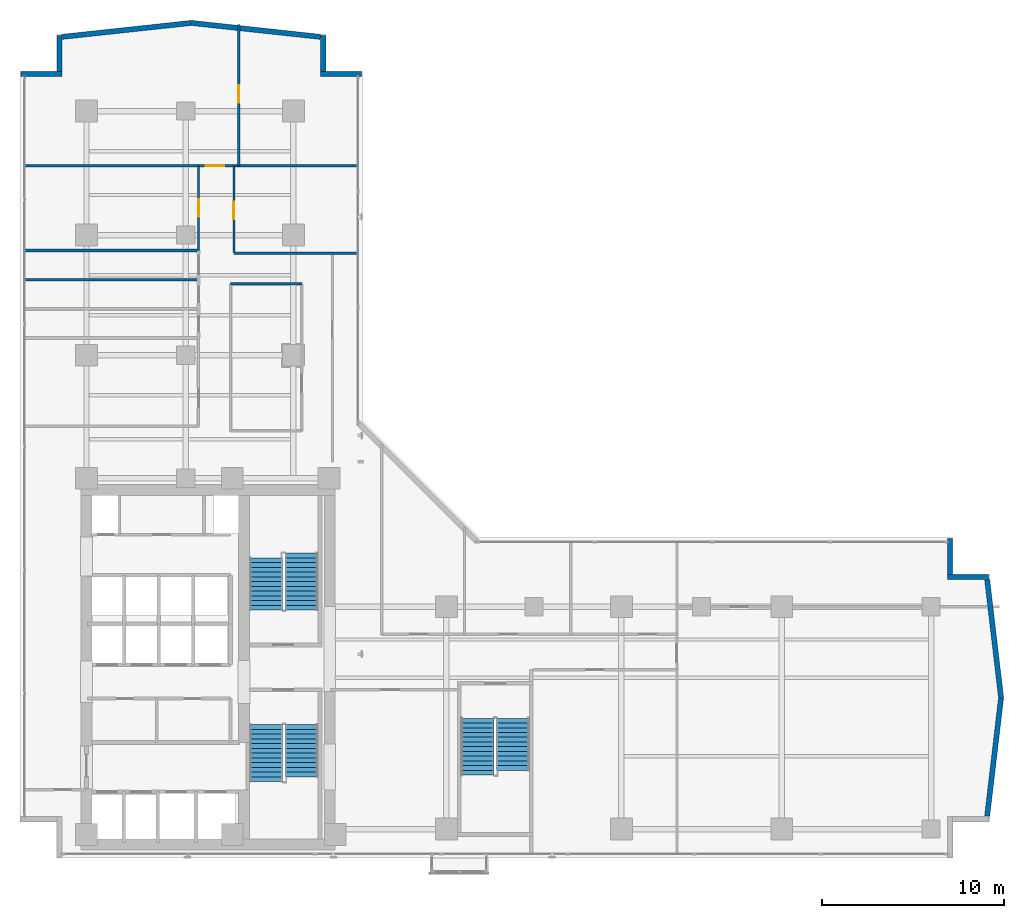
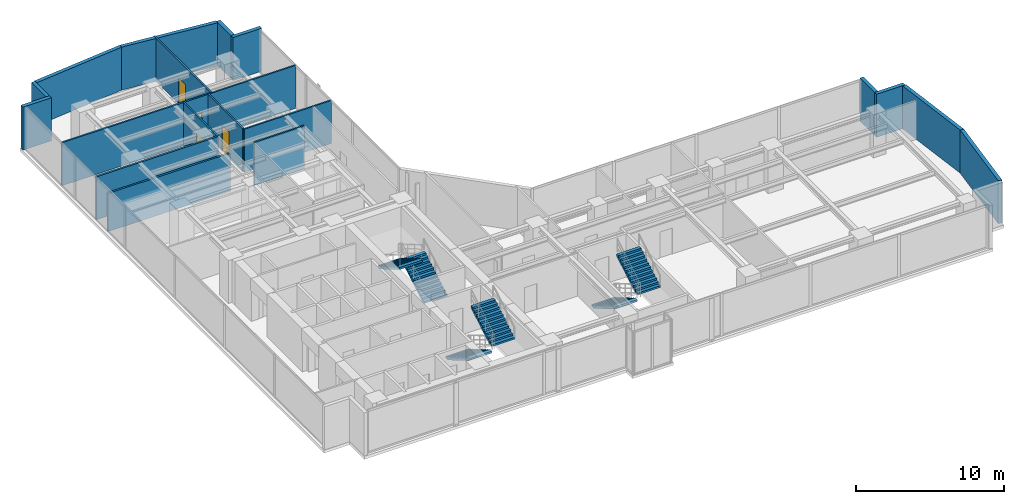
# One storey, part 21 of 24: 18 walls, 6 stair flights, 4 doors, 4 openings, 3 elements without a shape of their own.
"""IFC4 building model written with IfcOpenShell, lengths in metres."""

from ifc_helpers import new_model, si_unit, direction, frame, frame_2d, origin, place, context, subcontext, project, spatial, polyline, rectangle, outline, extrude, material, layer, layer_set, type_object, element, fill, aggregate, save


model = new_model("IFC4")

# Units and contexts
model_context = context("Model", 3, precision=1e-05, world=origin(), true_north=direction((0.0, 1.0)))
body_context = subcontext(model_context, "Body", "Model", "MODEL_VIEW")
ifc_project = project(units=[si_unit("LENGTHUNIT", "METRE"), si_unit("AREAUNIT", "SQUARE_METRE"), si_unit("VOLUMEUNIT", "CUBIC_METRE"), si_unit("PLANEANGLEUNIT", "RADIAN"), si_unit("MASSUNIT", "GRAM", prefix="KILO")], contexts=[model_context])

# Site, building, storey
site_placement = place(None, origin())
site = spatial("IfcSite", under=ifc_project, at=site_placement, CompositionType="ELEMENT")
building_placement = place(site_placement, origin())
building = spatial("IfcBuilding", under=site, at=building_placement, Name="Kolvaren Waterfront Exchange", CompositionType="ELEMENT")
storey_placement = place(building_placement, frame((0.0, 0.0, 153.800048828125)))
storey = spatial("IfcBuildingStorey", under=building, at=storey_placement, Name="L39", CompositionType="ELEMENT", Elevation=153.800048828125)

# Walls
ifc_material_1 = material(Name="Precast concrete C40/50", Category="concrete")
ifc_layer_1 = layer(ifc_material_1, 0.280029296875, Name="Precast concrete C40/50")
ifc_layer_set_1 = layer_set([ifc_layer_1], Name="Precast concrete C40/50")
wall_type_1 = type_object("IfcWallType", Name="ARC-EXT-TERR-280", PredefinedType="SOLIDWALL", material=ifc_layer_set_1)
wall_1_placement = place(storey_placement, frame((54.840087890625, 19.1650390625, 0.0), z_axis=(0.0, 0.0, 1.0), x_axis=(0.0, 1.0, 0.0)))
element("IfcWall", 1, at=wall_1_placement, inside=storey, type_object=wall_type_1, Name="L39 notched corner spandrel pier ENE-A", PredefinedType="SOLIDWALL", context=body_context, shape_type="SweptSolid", body=[
    extrude(rectangle(XDim=1.974853515625, YDim=0.280029296875, at=frame_2d((0.9873046875, 0.0))), origin(), (0.0, 0.0, 1.0), 3.56005859375),
])
for number, where, z_axis, x_axis, name in (
    (2, (54.699951171875, 19.0400390625, 0.0), (0.0, 0.0, 1.0), (1.0, 0.0, 0.0), "L39 notched corner spandrel pier ENE-B"),
    (3, (20.300048828125, 46.639892578125, 0.0), (0.0, 0.0, 1.0), (1.0, 0.0, 0.0), "L39 notched corner spandrel pier NNE-A"),
):
    element("IfcWall", number, at=place(storey_placement, frame(where, z_axis=z_axis, x_axis=x_axis)), inside=storey, type_object=wall_type_1, Name=name, PredefinedType="SOLIDWALL", context=body_context, shape_type="SweptSolid", body=[
        extrude(rectangle(XDim=2.239990234375, YDim=0.280029296875, at=frame_2d((1.1201171875, 0.0))), origin(), (0.0, 0.0, 1.0), 3.56005859375),
    ])
wall_2_placement = place(storey_placement, frame((20.43994140625, 46.780029296875, 0.0), z_axis=(0.0, 0.0, 1.0), x_axis=(0.0, 1.0, 0.0)))
element("IfcWall", 4, at=wall_2_placement, inside=storey, type_object=wall_type_1, Name="L39 notched corner spandrel pier NNE-B", PredefinedType="SOLIDWALL", context=body_context, shape_type="SweptSolid", body=[
    extrude(rectangle(XDim=1.9599609375, YDim=0.280029296875, at=frame_2d((0.97998046875, 0.0))), origin(), (0.0, 0.0, 1.0), 3.56005859375),
])
wall_3_placement = place(storey_placement, frame((3.860107421875, 46.639892578125, 0.0), z_axis=(0.0, 0.0, 1.0), x_axis=(1.0, 0.0, 0.0)))
element("IfcWall", 5, at=wall_3_placement, inside=storey, type_object=wall_type_1, Name="L39 notched corner spandrel pier NW-A", PredefinedType="SOLIDWALL", context=body_context, shape_type="SweptSolid", body=[
    extrude(rectangle(XDim=2.239990234375, YDim=0.280029296875, at=frame_2d((1.1201171875, 0.0))), origin(), (0.0, 0.0, 1.0), 3.56005859375),
])
wall_4_placement = place(storey_placement, frame((5.9599609375, 46.780029296875, 0.0), z_axis=(0.0, 0.0, 1.0), x_axis=(0.0, 1.0, 0.0)))
element("IfcWall", 6, at=wall_4_placement, inside=storey, type_object=wall_type_1, Name="L39 notched corner spandrel pier NW-B", PredefinedType="SOLIDWALL", context=body_context, shape_type="SweptSolid", body=[
    extrude(rectangle(XDim=1.9599609375, YDim=0.280029296875, at=frame_2d((0.97998046875, 0.0))), origin(), (0.0, 0.0, 1.0), 3.56005859375),
])
for number, where, z_axis, x_axis, name in (
    (7, (56.876220703125, 5.91650390625, 0.0), (0.0, 0.0, 1.0), (0.11685426921, 0.993149072278, 0.0), "L39 east prow faceted facade wall 1"),
    (8, (57.638916015625, 12.401123046875, 0.0), (0.0, 0.0, 1.0), (-0.11685426921, 0.993149072278, 0.0), "L39 east prow faceted facade wall 2"),
):
    element("IfcWall", number, at=place(storey_placement, frame(where, z_axis=z_axis, x_axis=x_axis)), inside=storey, type_object=wall_type_1, Name=name, PredefinedType="SOLIDWALL", context=body_context, shape_type="SweptSolid", body=[
        extrude(rectangle(XDim=6.52685546875, YDim=0.280029296875, at=frame_2d((3.263427734375, 0.0))), origin(), (0.0, 0.0, 1.0), 3.56005859375),
    ])
for number, where, z_axis, x_axis, name in (
    (9, (20.284423828125, 48.673095703125, 0.0), (0.0, 0.0, 1.0), (-0.994206651606, 0.107485505548, 0.0), "L39 north prow faceted facade wall 1"),
    (10, (13.197265625, 49.438720703125, 0.0), (0.0, 0.0, 1.0), (-0.994206651606, -0.107485505548, 0.0), "L39 north prow faceted facade wall 2"),
):
    element("IfcWall", number, at=place(storey_placement, frame(where, z_axis=z_axis, x_axis=x_axis)), inside=storey, type_object=wall_type_1, Name=name, PredefinedType="SOLIDWALL", context=body_context, shape_type="SweptSolid", body=[
        extrude(rectangle(XDim=7.123046875, YDim=0.280029296875, at=frame_2d((3.5615234375, 0.0))), origin(), (0.0, 0.0, 1.0), 3.56005859375),
    ])
ifc_material_2 = material(Name="Acoustic gypsum steel stud", Category="steel")
ifc_layer_2 = layer(ifc_material_2, 0.125, Name="Acoustic gypsum steel stud")
ifc_layer_set_2 = layer_set([ifc_layer_2], Name="Acoustic gypsum steel stud")
wall_type_2 = type_object("IfcWallType", Name="ARC-PART-125", PredefinedType="PARTITIONING", material=ifc_layer_set_2)
wall_5_placement = place(storey_placement, frame((15.35009765625, 35.1201171875, 0.0), z_axis=(0.0, 0.0, 1.0), x_axis=(1.0, 0.0, 0.0)))
element("IfcWall", 11, at=wall_5_placement, inside=storey, type_object=wall_type_2, Name="L39 interior wall PW-L39-ISL-N", PredefinedType="PARTITIONING", context=body_context, shape_type="SweptSolid", body=[
    extrude(rectangle(XDim=3.919921875, YDim=0.125, at=frame_2d((1.9599609375, 0.0))), origin(), (0.0, 0.0, 1.0), 3.56005859375),
])
wall_6_placement = place(storey_placement, frame((15.5400390625, 36.800048828125, 0.0), z_axis=(0.0, 0.0, 1.0), x_axis=(1.0, 0.0, 0.0)))
element("IfcWall", 12, at=wall_6_placement, inside=storey, type_object=wall_type_2, Name="L39 interior wall PW-L39-RFLANK-N", PredefinedType="PARTITIONING", context=body_context, shape_type="SweptSolid", body=[
    extrude(rectangle(XDim=6.820068359375, YDim=0.125, at=frame_2d((3.41015625, 0.0))), origin(), (0.0, 0.0, 1.0), 3.56005859375),
])

# Wall, opening, door
wall_7_placement = place(storey_placement, frame((13.60009765625, 36.949951171875, 0.0), z_axis=(0.0, 0.0, 1.0), x_axis=(0.0, 1.0, 0.0)))
wall_7 = element("IfcWall", 13, at=wall_7_placement, inside=storey, type_object=wall_type_2, Name="L39 interior wall PW-L39-NW-CORR", PredefinedType="PARTITIONING", context=body_context, shape_type="SweptSolid", body=[
    extrude(rectangle(XDim=4.650146484375, YDim=0.125, at=frame_2d((2.3251953125, 0.0))), origin(), (0.0, 0.0, 1.0), 3.56005859375),
])
opening_1_placement = place(wall_7_placement, frame((1.85009765625, 0.0, 0.0)))
opening_1 = element("IfcOpeningElement", 14, at=opening_1_placement, cuts=wall_7, Name="Opening D02", PredefinedType="OPENING", context=body_context, shape_type="SweptSolid", body=[
    extrude(rectangle(XDim=0.949951171875, YDim=2.14990234375, at=frame_2d((0.47509765625, 1.074951171875))), frame((0.0, 0.072509765625, 0.0), z_axis=(0.0, -1.0, 0.0), x_axis=(1.0, 0.0, 0.0)), (0.0, 0.0, 1.0), 0.14501953125),
])
ifc_material_3 = material(Name="Oak veneer acoustic timber", Category="wood")
door_type_1 = type_object("IfcDoorType", Name="ARC-DR-950", OperationType="NOTDEFINED", PredefinedType="DOOR", material=ifc_material_3)
door_1_placement = place(opening_1_placement, origin())
door_1 = element("IfcDoor", 15, at=door_1_placement, inside=storey, type_object=door_type_1, Name="L39 door DR-L39-NW-D-1 (D02)", OperationType="SINGLE_SWING_LEFT", OverallHeight=2.14990234375, OverallWidth=0.949951171875, PredefinedType="DOOR", context=body_context, shape_type="SweptSolid", body=[
    extrude(rectangle(XDim=0.949951171875, YDim=2.14990234375, at=frame_2d((0.47509765625, 1.074951171875))), frame((0.0, 0.02490234375, 0.0), z_axis=(0.0, -1.0, 0.0), x_axis=(1.0, 0.0, 0.0)), (0.0, 0.0, 1.0), 0.050048828125),
])
fill(opening_1, door_1)

wall_8_placement = place(storey_placement, frame((4.0400390625, 41.60009765625, 0.0), z_axis=(0.0, 0.0, 1.0), x_axis=(1.0, 0.0, 0.0)))
wall_8 = element("IfcWall", 16, at=wall_8_placement, inside=storey, type_object=wall_type_2, Name="L39 interior wall PW-L39-NTIP-S", PredefinedType="PARTITIONING", context=body_context, shape_type="SweptSolid", body=[
    extrude(rectangle(XDim=18.320068359375, YDim=0.125, at=frame_2d((9.16015625, 0.0))), origin(), (0.0, 0.0, 1.0), 3.56005859375),
])
opening_2_placement = place(wall_8_placement, frame((9.9599609375, 0.0, 0.0)))
opening_2 = element("IfcOpeningElement", 17, at=opening_2_placement, cuts=wall_8, Name="Opening D03", PredefinedType="OPENING", context=body_context, shape_type="SweptSolid", body=[
    extrude(rectangle(XDim=1.0, YDim=2.199951171875, at=frame_2d((0.5, 1.10009765625))), frame((0.0, 0.072509765625, 0.0), z_axis=(0.0, -1.0, 0.0), x_axis=(1.0, 0.0, 0.0)), (0.0, 0.0, 1.0), 0.14501953125),
])
ifc_material_4 = material(Name="Oak veneer accessible timber", Category="wood")
door_type_2 = type_object("IfcDoorType", Name="ARC-DR-1000", OperationType="NOTDEFINED", PredefinedType="DOOR", material=ifc_material_4)
door_2_placement = place(opening_2_placement, origin())
door_2 = element("IfcDoor", 18, at=door_2_placement, inside=storey, type_object=door_type_2, Name="L39 door DR-L39-NTIPW-D (D03)", OperationType="SINGLE_SWING_RIGHT", OverallHeight=2.199951171875, OverallWidth=1.0, PredefinedType="DOOR", context=body_context, shape_type="SweptSolid", body=[
    extrude(rectangle(XDim=1.0, YDim=2.199951171875, at=frame_2d((0.5, 1.10009765625))), frame((0.0, 0.02490234375, 0.0), z_axis=(0.0, -1.0, 0.0), x_axis=(1.0, 0.0, 0.0)), (0.0, 0.0, 1.0), 0.050048828125),
])
fill(opening_2, door_2)

wall_9_placement = place(storey_placement, frame((15.800048828125, 41.60009765625, 0.0), z_axis=(0.0, 0.0, 1.0), x_axis=(0.0, 1.0, 0.0)))
wall_9 = element("IfcWall", 19, at=wall_9_placement, inside=storey, type_object=wall_type_2, Name="L39 interior wall PW-L39-NTIP-DIV", PredefinedType="PARTITIONING", context=body_context, shape_type="SweptSolid", body=[
    extrude(rectangle(XDim=7.760009765625, YDim=0.125, at=frame_2d((3.8798828125, 0.0))), origin(), (0.0, 0.0, 1.0), 3.56005859375),
])
opening_3_placement = place(wall_9_placement, frame((3.470458984375, 0.0, 0.0)))
opening_3 = element("IfcOpeningElement", 20, at=opening_3_placement, cuts=wall_9, Name="Opening D02", PredefinedType="OPENING", context=body_context, shape_type="SweptSolid", body=[
    extrude(rectangle(XDim=0.949951171875, YDim=2.14990234375, at=frame_2d((0.47509765625, 1.074951171875))), frame((0.0, 0.072509765625, 0.0), z_axis=(0.0, -1.0, 0.0), x_axis=(1.0, 0.0, 0.0)), (0.0, 0.0, 1.0), 0.14501953125),
])
door_3_placement = place(opening_3_placement, origin())
door_3 = element("IfcDoor", 21, at=door_3_placement, inside=storey, type_object=door_type_1, Name="L39 door DR-L39-NTIPE-D (D02)", OperationType="SINGLE_SWING_LEFT", OverallHeight=2.14990234375, OverallWidth=0.949951171875, PredefinedType="DOOR", context=body_context, shape_type="SweptSolid", body=[
    extrude(rectangle(XDim=0.949951171875, YDim=2.14990234375, at=frame_2d((0.47509765625, 1.074951171875))), frame((0.0, 0.02490234375, 0.0), z_axis=(0.0, -1.0, 0.0), x_axis=(1.0, 0.0, 0.0)), (0.0, 0.0, 1.0), 0.050048828125),
])
fill(opening_3, door_3)

wall_10_placement = place(storey_placement, frame((15.5400390625, 36.85009765625, 0.0), z_axis=(0.0, 0.0, 1.0), x_axis=(0.0, 1.0, 0.0)))
wall_10 = element("IfcWall", 22, at=wall_10_placement, inside=storey, type_object=wall_type_2, Name="L39 interior wall PW-L39-NE-CORR", PredefinedType="PARTITIONING", context=body_context, shape_type="SweptSolid", body=[
    extrude(rectangle(XDim=4.75, YDim=0.125, at=frame_2d((2.375, 0.0))), origin(), (0.0, 0.0, 1.0), 3.56005859375),
])
opening_4_placement = place(wall_10_placement, frame((1.82861328125, 0.0, 0.0)))
opening_4 = element("IfcOpeningElement", 23, at=opening_4_placement, cuts=wall_10, Name="Opening D02", PredefinedType="OPENING", context=body_context, shape_type="SweptSolid", body=[
    extrude(rectangle(XDim=0.949951171875, YDim=2.14990234375, at=frame_2d((0.47509765625, 1.074951171875))), frame((0.0, 0.072509765625, 0.0), z_axis=(0.0, -1.0, 0.0), x_axis=(1.0, 0.0, 0.0)), (0.0, 0.0, 1.0), 0.14501953125),
])
door_4_placement = place(opening_4_placement, origin())
door_4 = element("IfcDoor", 24, at=door_4_placement, inside=storey, type_object=door_type_1, Name="L39 door DR-L39-NE-D-1 (D02)", OperationType="SINGLE_SWING_RIGHT", OverallHeight=2.14990234375, OverallWidth=0.949951171875, PredefinedType="DOOR", context=body_context, shape_type="SweptSolid", body=[
    extrude(rectangle(XDim=0.949951171875, YDim=2.14990234375, at=frame_2d((0.47509765625, 1.074951171875))), frame((0.0, 0.02490234375, 0.0), z_axis=(0.0, -1.0, 0.0), x_axis=(1.0, 0.0, 0.0)), (0.0, 0.0, 1.0), 0.050048828125),
])
fill(opening_4, door_4)

# Walls
ifc_material_5 = material(Name="Moisture-resistant gypsum stud")
ifc_layer_3 = layer(ifc_material_5, 0.14990234375, Name="Moisture-resistant gypsum stud")
ifc_layer_set_3 = layer_set([ifc_layer_3], Name="Moisture-resistant gypsum stud")
wall_type_3 = type_object("IfcWallType", Name="ARC-PLUMB-150", PredefinedType="PLUMBINGWALL", material=ifc_layer_set_3)
wall_11_placement = place(storey_placement, frame((4.0400390625, 35.35009765625, 0.0), z_axis=(0.0, 0.0, 1.0), x_axis=(1.0, 0.0, 0.0)))
element("IfcWall", 25, at=wall_11_placement, inside=storey, type_object=wall_type_3, Name="L39 interior wall PW-L39-WC-2", PredefinedType="PLUMBINGWALL", context=body_context, shape_type="SweptSolid", body=[
    extrude(rectangle(XDim=9.56005859375, YDim=0.14990234375, at=frame_2d((4.780029296875, 0.0))), origin(), (0.0, 0.0, 1.0), 3.159912109375),
])
wall_12_placement = place(storey_placement, frame((4.0400390625, 36.949951171875, 0.0), z_axis=(0.0, 0.0, 1.0), x_axis=(1.0, 0.0, 0.0)))
element("IfcWall", 26, at=wall_12_placement, inside=storey, type_object=wall_type_3, Name="L39 interior wall PW-L39-WC-3", PredefinedType="PLUMBINGWALL", context=body_context, shape_type="SweptSolid", body=[
    extrude(rectangle(XDim=9.56005859375, YDim=0.14990234375, at=frame_2d((4.780029296875, 0.0))), origin(), (0.0, 0.0, 1.0), 3.56005859375),
])

# Stair, stair flights
ifc_material_6 = material(Name="Concrete C40/50", Category="concrete")
stair_type = type_object("IfcStairType", Name="ARC-STAIR-3800", PredefinedType="HALF_TURN_STAIR", material=ifc_material_6)
stair_1_placement = place(storey_placement, origin())
stair_1 = element("IfcStair", 27, at=stair_1_placement, inside=storey, type_object=stair_type, Name="L39 Smoke-proof exit stair ST1", PredefinedType="HALF_TURN_STAIR")
stair_flight_type = type_object("IfcStairFlightType", Name="ARC-FLIGHT-3800", PredefinedType="STRAIGHT", material=ifc_material_6)
stair_flight_1_placement = place(storey_placement, frame((17.300048828125, 10.929931640625, 0.0), z_axis=(0.0, 0.0, 1.0), x_axis=(0.0, -1.0, 0.0)))
stair_flight_1 = element("IfcStairFlight", 28, at=stair_flight_1_placement, type_object=stair_flight_type, Name="ST1 flight 1", NumberOfRisers=13, NumberOfTreads=12, PredefinedType="STRAIGHT", RiserHeight=0.152, TreadLength=0.26, context=body_context, shape_type="SweptSolid", body=[
    extrude(outline(polyline([(0.0, 0.0), (0.0, 0.152099609375), (0.260009765625, 0.152099609375), (0.260009765625, 0.303955078125), (0.52001953125, 0.303955078125), (0.52001953125, 0.4560546875), (0.780029296875, 0.4560546875), (0.780029296875, 0.60791015625), (1.0400390625, 0.60791015625), (1.0400390625, 0.760009765625), (1.300048828125, 0.760009765625), (1.300048828125, 0.912109375), (1.56005859375, 0.912109375), (1.56005859375, 1.06396484375), (1.820068359375, 1.06396484375), (1.820068359375, 1.216064453125), (2.080078125, 1.216064453125), (2.080078125, 1.367919921875), (2.340087890625, 1.367919921875), (2.340087890625, 1.52001953125), (2.60009765625, 1.52001953125), (2.60009765625, 1.672119140625), (2.860107421875, 1.672119140625), (2.860107421875, 1.823974609375), (3.1201171875, 1.823974609375), (3.1201171875, 1.97607421875), (3.1201171875, 1.650390625), (0.297119140625, 0.0), (0.0, 0.0)])), frame((0.0, 0.89990234375, 0.0), z_axis=(0.0, -1.0, 0.0), x_axis=(1.0, 0.0, 0.0)), (0.0, 0.0, 1.0), 1.800048828125),
])
stair_flight_2_placement = place(storey_placement, frame((19.260009765625, 8.070068359375, 1.975830078125), z_axis=(0.0, 0.0, 1.0), x_axis=(0.0, 1.0, 0.0)))
stair_flight_2 = element("IfcStairFlight", 29, at=stair_flight_2_placement, type_object=stair_flight_type, Name="ST1 flight 2", NumberOfRisers=12, NumberOfTreads=11, PredefinedType="STRAIGHT", RiserHeight=0.152, TreadLength=0.26, context=body_context, shape_type="SweptSolid", body=[
    extrude(outline(polyline([(0.0, 0.0), (0.0, 0.152099609375), (0.260009765625, 0.152099609375), (0.260009765625, 0.303955078125), (0.52001953125, 0.303955078125), (0.52001953125, 0.4560546875), (0.780029296875, 0.4560546875), (0.780029296875, 0.60791015625), (1.0400390625, 0.60791015625), (1.0400390625, 0.760009765625), (1.300048828125, 0.760009765625), (1.300048828125, 0.912109375), (1.56005859375, 0.912109375), (1.56005859375, 1.06396484375), (1.820068359375, 1.06396484375), (1.820068359375, 1.216064453125), (2.080078125, 1.216064453125), (2.080078125, 1.367919921875), (2.340087890625, 1.367919921875), (2.340087890625, 1.52001953125), (2.60009765625, 1.52001953125), (2.60009765625, 1.672119140625), (2.860107421875, 1.672119140625), (2.860107421875, 1.823974609375), (2.860107421875, 1.498291015625), (0.297119140625, 0.0), (0.0, 0.0)])), frame((0.0, 0.89990234375, 0.0), z_axis=(0.0, -1.0, 0.0), x_axis=(1.0, 0.0, 0.0)), (0.0, 0.0, 1.0), 1.800048828125),
])
aggregate(stair_1, [stair_flight_1, stair_flight_2])

stair_2_placement = place(storey_placement, origin())
stair_2 = element("IfcStair", 30, at=stair_2_placement, inside=storey, type_object=stair_type, Name="L39 Smoke-proof exit stair ST2", PredefinedType="HALF_TURN_STAIR")
stair_flight_3_placement = place(storey_placement, frame((19.260009765625, 17.219970703125, 0.0), z_axis=(0.0, 0.0, 1.0), x_axis=(0.0, 1.0, 0.0)))
stair_flight_3 = element("IfcStairFlight", 31, at=stair_flight_3_placement, type_object=stair_flight_type, Name="ST2 flight 1", NumberOfRisers=13, NumberOfTreads=12, PredefinedType="STRAIGHT", RiserHeight=0.152, TreadLength=0.26, context=body_context, shape_type="SweptSolid", body=[
    extrude(outline(polyline([(0.0, 0.0), (0.0, 0.152099609375), (0.260009765625, 0.152099609375), (0.260009765625, 0.303955078125), (0.52001953125, 0.303955078125), (0.52001953125, 0.4560546875), (0.780029296875, 0.4560546875), (0.780029296875, 0.60791015625), (1.0400390625, 0.60791015625), (1.0400390625, 0.760009765625), (1.300048828125, 0.760009765625), (1.300048828125, 0.912109375), (1.56005859375, 0.912109375), (1.56005859375, 1.06396484375), (1.820068359375, 1.06396484375), (1.820068359375, 1.216064453125), (2.080078125, 1.216064453125), (2.080078125, 1.367919921875), (2.340087890625, 1.367919921875), (2.340087890625, 1.52001953125), (2.60009765625, 1.52001953125), (2.60009765625, 1.672119140625), (2.860107421875, 1.672119140625), (2.860107421875, 1.823974609375), (3.1201171875, 1.823974609375), (3.1201171875, 1.97607421875), (3.1201171875, 1.650390625), (0.297119140625, 0.0), (0.0, 0.0)])), frame((0.0, 0.89990234375, 0.0), z_axis=(0.0, -1.0, 0.0), x_axis=(1.0, 0.0, 0.0)), (0.0, 0.0, 1.0), 1.800048828125),
])
stair_flight_4_placement = place(storey_placement, frame((17.300048828125, 20.080078125, 1.975830078125), z_axis=(0.0, 0.0, 1.0), x_axis=(0.0, -1.0, 0.0)))
stair_flight_4 = element("IfcStairFlight", 32, at=stair_flight_4_placement, type_object=stair_flight_type, Name="ST2 flight 2", NumberOfRisers=12, NumberOfTreads=11, PredefinedType="STRAIGHT", RiserHeight=0.152, TreadLength=0.26, context=body_context, shape_type="SweptSolid", body=[
    extrude(outline(polyline([(0.0, 0.0), (0.0, 0.152099609375), (0.260009765625, 0.152099609375), (0.260009765625, 0.303955078125), (0.52001953125, 0.303955078125), (0.52001953125, 0.4560546875), (0.780029296875, 0.4560546875), (0.780029296875, 0.60791015625), (1.0400390625, 0.60791015625), (1.0400390625, 0.760009765625), (1.300048828125, 0.760009765625), (1.300048828125, 0.912109375), (1.56005859375, 0.912109375), (1.56005859375, 1.06396484375), (1.820068359375, 1.06396484375), (1.820068359375, 1.216064453125), (2.080078125, 1.216064453125), (2.080078125, 1.367919921875), (2.340087890625, 1.367919921875), (2.340087890625, 1.52001953125), (2.60009765625, 1.52001953125), (2.60009765625, 1.672119140625), (2.860107421875, 1.672119140625), (2.860107421875, 1.823974609375), (2.860107421875, 1.498291015625), (0.297119140625, 0.0), (0.0, 0.0)])), frame((0.0, 0.89990234375, 0.0), z_axis=(0.0, -1.0, 0.0), x_axis=(1.0, 0.0, 0.0)), (0.0, 0.0, 1.0), 1.800048828125),
])
aggregate(stair_2, [stair_flight_3, stair_flight_4])

stair_3_placement = place(storey_placement, origin())
stair_3 = element("IfcStair", 33, at=stair_3_placement, inside=storey, type_object=stair_type, Name="L39 Exit stair ST3", PredefinedType="HALF_TURN_STAIR")
stair_flight_5_placement = place(storey_placement, frame((28.89990234375, 11.280029296875, 0.0), z_axis=(0.0, 0.0, 1.0), x_axis=(0.0, -1.0, 0.0)))
stair_flight_5 = element("IfcStairFlight", 34, at=stair_flight_5_placement, type_object=stair_flight_type, Name="ST3 flight 1", NumberOfRisers=13, NumberOfTreads=12, PredefinedType="STRAIGHT", RiserHeight=0.152, TreadLength=0.26, context=body_context, shape_type="SweptSolid", body=[
    extrude(outline(polyline([(0.0, 0.0), (0.0, 0.152099609375), (0.260009765625, 0.152099609375), (0.260009765625, 0.303955078125), (0.52001953125, 0.303955078125), (0.52001953125, 0.4560546875), (0.780029296875, 0.4560546875), (0.780029296875, 0.60791015625), (1.0400390625, 0.60791015625), (1.0400390625, 0.760009765625), (1.300048828125, 0.760009765625), (1.300048828125, 0.912109375), (1.56005859375, 0.912109375), (1.56005859375, 1.06396484375), (1.820068359375, 1.06396484375), (1.820068359375, 1.216064453125), (2.080078125, 1.216064453125), (2.080078125, 1.367919921875), (2.340087890625, 1.367919921875), (2.340087890625, 1.52001953125), (2.60009765625, 1.52001953125), (2.60009765625, 1.672119140625), (2.860107421875, 1.672119140625), (2.860107421875, 1.823974609375), (3.1201171875, 1.823974609375), (3.1201171875, 1.97607421875), (3.1201171875, 1.650390625), (0.297119140625, 0.0), (0.0, 0.0)])), frame((0.0, 0.89990234375, 0.0), z_axis=(0.0, -1.0, 0.0), x_axis=(1.0, 0.0, 0.0)), (0.0, 0.0, 1.0), 1.800048828125),
])
stair_flight_6_placement = place(storey_placement, frame((30.860107421875, 8.419921875, 1.975830078125), z_axis=(0.0, 0.0, 1.0), x_axis=(0.0, 1.0, 0.0)))
stair_flight_6 = element("IfcStairFlight", 35, at=stair_flight_6_placement, type_object=stair_flight_type, Name="ST3 flight 2", NumberOfRisers=12, NumberOfTreads=11, PredefinedType="STRAIGHT", RiserHeight=0.152, TreadLength=0.26, context=body_context, shape_type="SweptSolid", body=[
    extrude(outline(polyline([(0.0, 0.0), (0.0, 0.152099609375), (0.260009765625, 0.152099609375), (0.260009765625, 0.303955078125), (0.52001953125, 0.303955078125), (0.52001953125, 0.4560546875), (0.780029296875, 0.4560546875), (0.780029296875, 0.60791015625), (1.0400390625, 0.60791015625), (1.0400390625, 0.760009765625), (1.300048828125, 0.760009765625), (1.300048828125, 0.912109375), (1.56005859375, 0.912109375), (1.56005859375, 1.06396484375), (1.820068359375, 1.06396484375), (1.820068359375, 1.216064453125), (2.080078125, 1.216064453125), (2.080078125, 1.367919921875), (2.340087890625, 1.367919921875), (2.340087890625, 1.52001953125), (2.60009765625, 1.52001953125), (2.60009765625, 1.672119140625), (2.860107421875, 1.672119140625), (2.860107421875, 1.823974609375), (2.860107421875, 1.498291015625), (0.297119140625, 0.0), (0.0, 0.0)])), frame((0.0, 0.89990234375, 0.0), z_axis=(0.0, -1.0, 0.0), x_axis=(1.0, 0.0, 0.0)), (0.0, 0.0, 1.0), 1.800048828125),
])
aggregate(stair_3, [stair_flight_5, stair_flight_6])

save(model, "model.ifc")
